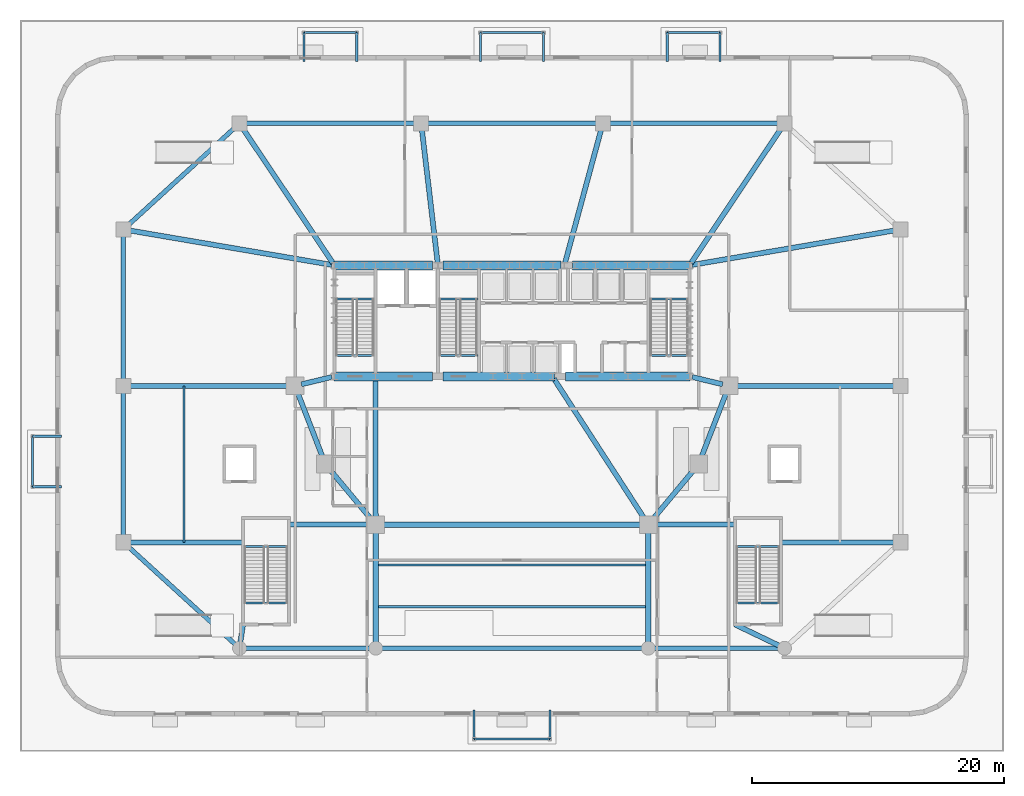
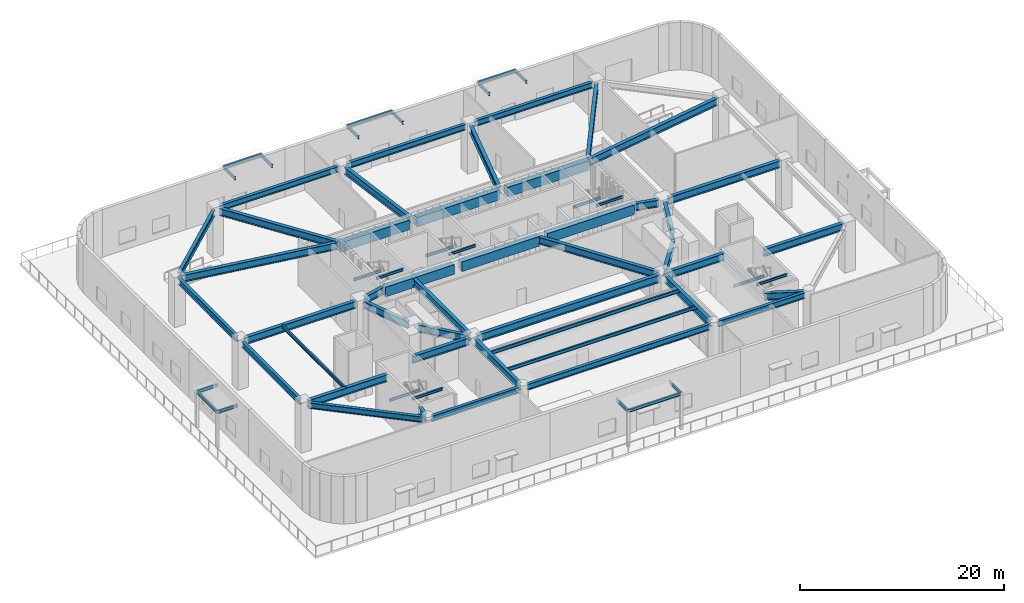
# One storey, part 6 of 21: 69 beams.
"""IFC4 building model written with IfcOpenShell, lengths in metres."""

from ifc_helpers import new_model, si_unit, direction, frame, origin, origin_2d, place, context, subcontext, project, spatial, rectangle, i_section, extrude, material, material_profile, profile_set, type_object, element, save


model = new_model("IFC4")

# Units and contexts
model_context = context("Model", 3, precision=1e-05, world=origin(), true_north=direction((0.0, 1.0)))
body_context = subcontext(model_context, "Body", "Model", "MODEL_VIEW")
ifc_project = project(units=[si_unit("LENGTHUNIT", "METRE"), si_unit("AREAUNIT", "SQUARE_METRE"), si_unit("VOLUMEUNIT", "CUBIC_METRE"), si_unit("PLANEANGLEUNIT", "RADIAN"), si_unit("MASSUNIT", "GRAM", prefix="KILO")], contexts=[model_context])

# Site, building, storey
site_placement = place(None, origin())
site = spatial("IfcSite", under=ifc_project, at=site_placement, CompositionType="ELEMENT")
building_placement = place(site_placement, origin())
building = spatial("IfcBuilding", under=site, at=building_placement, Name="Haldorwick Loom Tower", CompositionType="ELEMENT")
storey_placement = place(building_placement, origin())
storey = spatial("IfcBuildingStorey", under=building, at=storey_placement, Name="L00", CompositionType="ELEMENT", Elevation=0.0)

# Beams
ifc_material_1 = material(Name="Concrete C60 (60 MPa)", Category="concrete")
ifc_material_profile_1 = material_profile(ifc_material_1, rectangle(XDim=0.699951171875, YDim=1.14990234375, at=origin_2d()), Name="RC700X1150", Category="concrete")
ifc_profile_set_1 = profile_set([ifc_material_profile_1], Name="Concrete C60 (60 MPa)")
beam_type_1 = type_object("IfcBeamType", Name="STR-BM-CB1150", PredefinedType="LINTEL", material=ifc_profile_set_1)
beam_1_placement = place(storey_placement, frame((21.89990234375, 35.550048828125, 5.125), z_axis=(1.0, 0.0, 0.0), x_axis=(0.0, 1.0, 0.0)))
element("IfcBeam", 1, at=beam_1_placement, inside=storey, type_object=beam_type_1, Name="L00 Core Coupling Beam CB-N1", PredefinedType="LINTEL", context=body_context, shape_type="SweptSolid", body=[
    extrude(rectangle(XDim=0.699951171875, YDim=1.14990234375, at=origin_2d()), origin(), (0.0, 0.0, 1.0), 7.800048828125),
])
beam_2_placement = place(storey_placement, frame((30.550048828125, 35.550048828125, 5.125), z_axis=(1.0, 0.0, 0.0), x_axis=(0.0, 1.0, 0.0)))
element("IfcBeam", 2, at=beam_2_placement, inside=storey, type_object=beam_type_1, Name="L00 Core Coupling Beam CB-N2", PredefinedType="LINTEL", context=body_context, shape_type="SweptSolid", body=[
    extrude(rectangle(XDim=0.699951171875, YDim=1.14990234375, at=origin_2d()), origin(), (0.0, 0.0, 1.0), 9.349853515625),
])
beam_3_placement = place(storey_placement, frame((40.800048828125, 35.550048828125, 5.125), z_axis=(1.0, 0.0, 0.0), x_axis=(0.0, 1.0, 0.0)))
element("IfcBeam", 3, at=beam_3_placement, inside=storey, type_object=beam_type_1, Name="L00 Core Coupling Beam CB-N3", PredefinedType="LINTEL", context=body_context, shape_type="SweptSolid", body=[
    extrude(rectangle(XDim=0.699951171875, YDim=1.14990234375, at=origin_2d()), origin(), (0.0, 0.0, 1.0), 9.300048828125),
])
beam_4_placement = place(storey_placement, frame((21.89990234375, 26.75, 5.125), z_axis=(1.0, 0.0, 0.0), x_axis=(0.0, 1.0, 0.0)))
element("IfcBeam", 4, at=beam_4_placement, inside=storey, type_object=beam_type_1, Name="L00 Core Coupling Beam CB-S1", PredefinedType="LINTEL", context=body_context, shape_type="SweptSolid", body=[
    extrude(rectangle(XDim=0.699951171875, YDim=1.14990234375, at=origin_2d()), origin(), (0.0, 0.0, 1.0), 7.800048828125),
])
beam_5_placement = place(storey_placement, frame((30.550048828125, 26.75, 5.125), z_axis=(1.0, 0.0, 0.0), x_axis=(0.0, 1.0, 0.0)))
element("IfcBeam", 5, at=beam_5_placement, inside=storey, type_object=beam_type_1, Name="L00 Core Coupling Beam CB-S2", PredefinedType="LINTEL", context=body_context, shape_type="SweptSolid", body=[
    extrude(rectangle(XDim=0.699951171875, YDim=1.14990234375, at=origin_2d()), origin(), (0.0, 0.0, 1.0), 8.800048828125),
])
beam_6_placement = place(storey_placement, frame((40.25, 26.75, 5.125), z_axis=(1.0, 0.0, 0.0), x_axis=(0.0, 1.0, 0.0)))
element("IfcBeam", 6, at=beam_6_placement, inside=storey, type_object=beam_type_1, Name="L00 Core Coupling Beam CB-S3", PredefinedType="LINTEL", context=body_context, shape_type="SweptSolid", body=[
    extrude(rectangle(XDim=0.699951171875, YDim=1.14990234375, at=origin_2d()), origin(), (0.0, 0.0, 1.0), 9.85009765625),
])
ifc_material_2 = material(Name="Steel CSA G40.21 350W", Category="steel")
ifc_material_profile_2 = material_profile(ifc_material_2, i_section(OverallWidth=0.172119140625, OverallDepth=0.35791015625, WebThickness=0.0078125, FlangeThickness=0.01318359375, at=origin_2d()), Name="W360X57", Category="steel")
ifc_profile_set_2 = profile_set([ifc_material_profile_2], Name="Steel CSA G40.21 350W")
beam_type_2 = type_object("IfcBeamType", Name="STR-BM-CN360", PredefinedType="BEAM", material=ifc_profile_set_2)
for number, where, z_axis, x_axis, name in (
    (7, (33.0, 0.300048828125, 4.240966796875), (0.0, -1.0, 0.0), (1.0, 0.0, 0.0), "L00 Entrance Canopy Outrigger Beam CN-S1-1"),
    (8, (39.0, 0.300048828125, 4.240966796875), (0.0, -1.0, 0.0), (1.0, 0.0, 0.0), "L00 Entrance Canopy Outrigger Beam CN-S1-2"),
):
    element("IfcBeam", number, at=place(storey_placement, frame(where, z_axis=z_axis, x_axis=x_axis)), inside=storey, type_object=beam_type_2, Name=name, PredefinedType="BEAM", context=body_context, shape_type="SweptSolid", body=[
        extrude(i_section(OverallWidth=0.172119140625, OverallDepth=0.35791015625, WebThickness=0.0078125, FlangeThickness=0.01318359375, at=origin_2d()), origin(), (0.0, 0.0, 1.0), 2.300048828125),
    ])
beam_7_placement = place(storey_placement, frame((33.0, -2.0, 4.240966796875), z_axis=(1.0, 0.0, 0.0), x_axis=(0.0, 1.0, 0.0)))
element("IfcBeam", 9, at=beam_7_placement, inside=storey, type_object=beam_type_2, Name="L00 Entrance Canopy Front Edge Beam CN-S1", PredefinedType="BEAM", context=body_context, shape_type="SweptSolid", body=[
    extrude(i_section(OverallWidth=0.172119140625, OverallDepth=0.35791015625, WebThickness=0.0078125, FlangeThickness=0.01318359375, at=origin_2d()), origin(), (0.0, 0.0, 1.0), 6.0),
])
for number, where, z_axis, x_axis, name in (
    (10, (19.5, 51.699951171875, 4.240966796875), (0.0, 1.0, 0.0), (-1.0, 0.0, 0.0), "L00 Entrance Canopy Outrigger Beam CN-N1-1"),
    (11, (23.699951171875, 51.699951171875, 4.240966796875), (0.0, 1.0, 0.0), (-1.0, 0.0, 0.0), "L00 Entrance Canopy Outrigger Beam CN-N1-2"),
):
    element("IfcBeam", number, at=place(storey_placement, frame(where, z_axis=z_axis, x_axis=x_axis)), inside=storey, type_object=beam_type_2, Name=name, PredefinedType="BEAM", context=body_context, shape_type="SweptSolid", body=[
        extrude(i_section(OverallWidth=0.172119140625, OverallDepth=0.35791015625, WebThickness=0.0078125, FlangeThickness=0.01318359375, at=origin_2d()), origin(), (0.0, 0.0, 1.0), 2.300048828125),
    ])
beam_8_placement = place(storey_placement, frame((19.5, 54.0, 4.240966796875), z_axis=(1.0, 0.0, 0.0), x_axis=(0.0, 1.0, 0.0)))
element("IfcBeam", 12, at=beam_8_placement, inside=storey, type_object=beam_type_2, Name="L00 Entrance Canopy Front Edge Beam CN-N1", PredefinedType="BEAM", context=body_context, shape_type="SweptSolid", body=[
    extrude(i_section(OverallWidth=0.172119140625, OverallDepth=0.35791015625, WebThickness=0.0078125, FlangeThickness=0.01318359375, at=origin_2d()), origin(), (0.0, 0.0, 1.0), 4.199951171875),
])
for number, where, z_axis, x_axis, name in (
    (13, (33.5, 51.699951171875, 4.240966796875), (0.0, 1.0, 0.0), (-1.0, 0.0, 0.0), "L00 Entrance Canopy Outrigger Beam CN-N2-1"),
    (14, (38.5, 51.699951171875, 4.240966796875), (0.0, 1.0, 0.0), (-1.0, 0.0, 0.0), "L00 Entrance Canopy Outrigger Beam CN-N2-2"),
):
    element("IfcBeam", number, at=place(storey_placement, frame(where, z_axis=z_axis, x_axis=x_axis)), inside=storey, type_object=beam_type_2, Name=name, PredefinedType="BEAM", context=body_context, shape_type="SweptSolid", body=[
        extrude(i_section(OverallWidth=0.172119140625, OverallDepth=0.35791015625, WebThickness=0.0078125, FlangeThickness=0.01318359375, at=origin_2d()), origin(), (0.0, 0.0, 1.0), 2.300048828125),
    ])
beam_9_placement = place(storey_placement, frame((33.5, 54.0, 4.240966796875), z_axis=(1.0, 0.0, 0.0), x_axis=(0.0, 1.0, 0.0)))
element("IfcBeam", 15, at=beam_9_placement, inside=storey, type_object=beam_type_2, Name="L00 Entrance Canopy Front Edge Beam CN-N2", PredefinedType="BEAM", context=body_context, shape_type="SweptSolid", body=[
    extrude(i_section(OverallWidth=0.172119140625, OverallDepth=0.35791015625, WebThickness=0.0078125, FlangeThickness=0.01318359375, at=origin_2d()), origin(), (0.0, 0.0, 1.0), 5.0),
])
for number, where, z_axis, x_axis, name in (
    (16, (48.300048828125, 51.699951171875, 4.240966796875), (0.0, 1.0, 0.0), (-1.0, 0.0, 0.0), "L00 Entrance Canopy Outrigger Beam CN-N3-1"),
    (17, (52.5, 51.699951171875, 4.240966796875), (0.0, 1.0, 0.0), (-1.0, 0.0, 0.0), "L00 Entrance Canopy Outrigger Beam CN-N3-2"),
):
    element("IfcBeam", number, at=place(storey_placement, frame(where, z_axis=z_axis, x_axis=x_axis)), inside=storey, type_object=beam_type_2, Name=name, PredefinedType="BEAM", context=body_context, shape_type="SweptSolid", body=[
        extrude(i_section(OverallWidth=0.172119140625, OverallDepth=0.35791015625, WebThickness=0.0078125, FlangeThickness=0.01318359375, at=origin_2d()), origin(), (0.0, 0.0, 1.0), 2.300048828125),
    ])
beam_10_placement = place(storey_placement, frame((48.300048828125, 54.0, 4.240966796875), z_axis=(1.0, 0.0, 0.0), x_axis=(0.0, 1.0, 0.0)))
element("IfcBeam", 18, at=beam_10_placement, inside=storey, type_object=beam_type_2, Name="L00 Entrance Canopy Front Edge Beam CN-N3", PredefinedType="BEAM", context=body_context, shape_type="SweptSolid", body=[
    extrude(i_section(OverallWidth=0.172119140625, OverallDepth=0.35791015625, WebThickness=0.0078125, FlangeThickness=0.01318359375, at=origin_2d()), origin(), (0.0, 0.0, 1.0), 4.199951171875),
])
for number, where, z_axis, x_axis, name in (
    (19, (0.300048828125, 18.0, 4.240966796875), (-1.0, 0.0, 0.0), (0.0, -1.0, 0.0), "L00 Entrance Canopy Outrigger Beam CN-W1-1"),
    (20, (0.300048828125, 22.0, 4.240966796875), (-1.0, 0.0, 0.0), (0.0, -1.0, 0.0), "L00 Entrance Canopy Outrigger Beam CN-W1-2"),
):
    element("IfcBeam", number, at=place(storey_placement, frame(where, z_axis=z_axis, x_axis=x_axis)), inside=storey, type_object=beam_type_2, Name=name, PredefinedType="BEAM", context=body_context, shape_type="SweptSolid", body=[
        extrude(i_section(OverallWidth=0.172119140625, OverallDepth=0.35791015625, WebThickness=0.0078125, FlangeThickness=0.01318359375, at=origin_2d()), origin(), (0.0, 0.0, 1.0), 2.300048828125),
    ])
beam_11_placement = place(storey_placement, frame((-2.0, 18.0, 4.240966796875), z_axis=(0.0, 1.0, 0.0), x_axis=(-1.0, 0.0, 0.0)))
element("IfcBeam", 21, at=beam_11_placement, inside=storey, type_object=beam_type_2, Name="L00 Entrance Canopy Front Edge Beam CN-W1", PredefinedType="BEAM", context=body_context, shape_type="SweptSolid", body=[
    extrude(i_section(OverallWidth=0.172119140625, OverallDepth=0.35791015625, WebThickness=0.0078125, FlangeThickness=0.01318359375, at=origin_2d()), origin(), (0.0, 0.0, 1.0), 4.0),
])
ifc_material_profile_3 = material_profile(ifc_material_2, i_section(OverallWidth=0.179931640625, OverallDepth=0.4130859375, WebThickness=0.009765625, FlangeThickness=0.01611328125, at=origin_2d()), Name="W410X74", Category="steel")
ifc_profile_set_3 = profile_set([ifc_material_profile_3], Name="Steel CSA G40.21 350W")
beam_type_3 = type_object("IfcBeamType", Name="STR-BM-J410", PredefinedType="JOIST", material=ifc_profile_set_3)
for number, where, z_axis, x_axis, name in (
    (22, (25.199951171875, 8.5, 5.493408203125), (1.0, 0.0, 0.0), (0.0, 1.0, 0.0), "L00 Podium Secondary Joist PJ-S1"),
    (23, (25.199951171875, 11.800048828125, 5.493408203125), (1.0, 0.0, 0.0), (0.0, 1.0, 0.0), "L00 Podium Secondary Joist PJ-S2"),
):
    element("IfcBeam", number, at=place(storey_placement, frame(where, z_axis=z_axis, x_axis=x_axis)), inside=storey, type_object=beam_type_3, Name=name, PredefinedType="JOIST", context=body_context, shape_type="SweptSolid", body=[
        extrude(i_section(OverallWidth=0.179931640625, OverallDepth=0.4130859375, WebThickness=0.009765625, FlangeThickness=0.01611328125, at=origin_2d()), origin(), (0.0, 0.0, 1.0), 21.60009765625),
    ])
beam_12_placement = place(storey_placement, frame((10.0, 13.60009765625, 5.493408203125), z_axis=(0.0, 1.0, 0.0), x_axis=(-1.0, 0.0, 0.0)))
element("IfcBeam", 24, at=beam_12_placement, inside=storey, type_object=beam_type_3, Name="L00 Podium Secondary Joist PJ-W1", PredefinedType="JOIST", context=body_context, shape_type="SweptSolid", body=[
    extrude(i_section(OverallWidth=0.179931640625, OverallDepth=0.4130859375, WebThickness=0.009765625, FlangeThickness=0.01611328125, at=origin_2d()), origin(), (0.0, 0.0, 1.0), 12.39990234375),
])
ifc_material_profile_4 = material_profile(ifc_material_2, i_section(OverallWidth=0.35498046875, OverallDepth=0.695068359375, WebThickness=0.015380859375, FlangeThickness=0.02490234375, at=origin_2d()), Name="W690X217", Category="steel")
ifc_profile_set_4 = profile_set([ifc_material_profile_4], Name="Steel CSA G40.21 350W")
beam_type_4 = type_object("IfcBeamType", Name="STR-BM-SP690", PredefinedType="SPANDREL", material=ifc_profile_set_4)
beam_13_placement = place(storey_placement, frame((5.554443359375, 13.2763671875, 5.3525390625), z_axis=(0.738482735745, -0.674272384876, 0.0), x_axis=(0.674272384876, 0.738482735745, 0.0)))
element("IfcBeam", 25, at=beam_13_placement, inside=storey, type_object=beam_type_4, Name="L00 Podium Spandrel PSP-S1", PredefinedType="SPANDREL", context=body_context, shape_type="SweptSolid", body=[
    extrude(i_section(OverallWidth=0.35498046875, OverallDepth=0.695068359375, WebThickness=0.015380859375, FlangeThickness=0.02490234375, at=origin_2d()), origin(), (0.0, 0.0, 1.0), 11.497802734375),
])
beam_14_placement = place(storey_placement, frame((14.8798828125, 5.199951171875, 5.3525390625), z_axis=(1.0, 0.0, 0.0), x_axis=(0.0, 1.0, 0.0)))
element("IfcBeam", 26, at=beam_14_placement, inside=storey, type_object=beam_type_4, Name="L00 Podium Spandrel PSP-S2", PredefinedType="SPANDREL", context=body_context, shape_type="SweptSolid", body=[
    extrude(i_section(OverallWidth=0.35498046875, OverallDepth=0.695068359375, WebThickness=0.015380859375, FlangeThickness=0.02490234375, at=origin_2d()), origin(), (0.0, 0.0, 1.0), 9.840087890625),
])
beam_15_placement = place(storey_placement, frame((25.679931640625, 5.199951171875, 5.3525390625), z_axis=(1.0, 0.0, 0.0), x_axis=(0.0, 1.0, 0.0)))
element("IfcBeam", 27, at=beam_15_placement, inside=storey, type_object=beam_type_4, Name="L00 Podium Spandrel PSP-S3", PredefinedType="SPANDREL", context=body_context, shape_type="SweptSolid", body=[
    extrude(i_section(OverallWidth=0.35498046875, OverallDepth=0.695068359375, WebThickness=0.015380859375, FlangeThickness=0.02490234375, at=origin_2d()), origin(), (0.0, 0.0, 1.0), 20.64013671875),
])
beam_16_placement = place(storey_placement, frame((47.280029296875, 5.199951171875, 5.3525390625), z_axis=(1.0, 0.0, 0.0), x_axis=(0.0, 1.0, 0.0)))
element("IfcBeam", 28, at=beam_16_placement, inside=storey, type_object=beam_type_4, Name="L00 Podium Spandrel PSP-S4", PredefinedType="SPANDREL", context=body_context, shape_type="SweptSolid", body=[
    extrude(i_section(OverallWidth=0.35498046875, OverallDepth=0.695068359375, WebThickness=0.015380859375, FlangeThickness=0.02490234375, at=origin_2d()), origin(), (0.0, 0.0, 1.0), 9.840087890625),
])
beam_17_placement = place(storey_placement, frame((57.1201171875, 46.800048828125, 5.3525390625), z_axis=(-1.0, 0.0, 0.0), x_axis=(0.0, -1.0, 0.0)))
element("IfcBeam", 29, at=beam_17_placement, inside=storey, type_object=beam_type_4, Name="L00 Podium Spandrel PSP-N1", PredefinedType="SPANDREL", context=body_context, shape_type="SweptSolid", body=[
    extrude(i_section(OverallWidth=0.35498046875, OverallDepth=0.695068359375, WebThickness=0.015380859375, FlangeThickness=0.02490234375, at=origin_2d()), origin(), (0.0, 0.0, 1.0), 13.440185546875),
])
beam_18_placement = place(storey_placement, frame((42.719970703125, 46.800048828125, 5.3525390625), z_axis=(-1.0, 0.0, 0.0), x_axis=(0.0, -1.0, 0.0)))
element("IfcBeam", 30, at=beam_18_placement, inside=storey, type_object=beam_type_4, Name="L00 Podium Spandrel PSP-N2", PredefinedType="SPANDREL", context=body_context, shape_type="SweptSolid", body=[
    extrude(i_section(OverallWidth=0.35498046875, OverallDepth=0.695068359375, WebThickness=0.015380859375, FlangeThickness=0.02490234375, at=origin_2d()), origin(), (0.0, 0.0, 1.0), 13.43994140625),
])
beam_19_placement = place(storey_placement, frame((28.320068359375, 46.800048828125, 5.3525390625), z_axis=(-1.0, 0.0, 0.0), x_axis=(0.0, -1.0, 0.0)))
element("IfcBeam", 31, at=beam_19_placement, inside=storey, type_object=beam_type_4, Name="L00 Podium Spandrel PSP-N3", PredefinedType="SPANDREL", context=body_context, shape_type="SweptSolid", body=[
    extrude(i_section(OverallWidth=0.35498046875, OverallDepth=0.695068359375, WebThickness=0.015380859375, FlangeThickness=0.02490234375, at=origin_2d()), origin(), (0.0, 0.0, 1.0), 13.440185546875),
])
beam_20_placement = place(storey_placement, frame((14.04541015625, 46.476318359375, 5.3525390625), z_axis=(-0.738482735745, -0.674272384876, 0.0), x_axis=(0.674272384876, -0.738482735745, 0.0)))
element("IfcBeam", 32, at=beam_20_placement, inside=storey, type_object=beam_type_4, Name="L00 Podium Spandrel PSP-N4", PredefinedType="SPANDREL", context=body_context, shape_type="SweptSolid", body=[
    extrude(i_section(OverallWidth=0.35498046875, OverallDepth=0.695068359375, WebThickness=0.015380859375, FlangeThickness=0.02490234375, at=origin_2d()), origin(), (0.0, 0.0, 1.0), 11.497802734375),
])
for number, where, z_axis, x_axis, name in (
    (33, (5.199951171875, 37.919921875, 5.3525390625), (0.0, -1.0, 0.0), (1.0, 0.0, 0.0), "L00 Podium Spandrel PSP-W1"),
    (34, (5.199951171875, 25.52001953125, 5.3525390625), (0.0, -1.0, 0.0), (1.0, 0.0, 0.0), "L00 Podium Spandrel PSP-W2"),
):
    element("IfcBeam", number, at=place(storey_placement, frame(where, z_axis=z_axis, x_axis=x_axis)), inside=storey, type_object=beam_type_4, Name=name, PredefinedType="SPANDREL", context=body_context, shape_type="SweptSolid", body=[
        extrude(i_section(OverallWidth=0.35498046875, OverallDepth=0.695068359375, WebThickness=0.015380859375, FlangeThickness=0.02490234375, at=origin_2d()), origin(), (0.0, 0.0, 1.0), 11.43994140625),
    ])
ifc_material_profile_5 = material_profile(ifc_material_2, i_section(OverallWidth=0.166015625, OverallDepth=0.31298828125, WebThickness=0.006591796875, FlangeThickness=0.01123046875, at=origin_2d()), Name="W310X45", Category="steel")
ifc_profile_set_5 = profile_set([ifc_material_profile_5], Name="Steel CSA G40.21 350W")
beam_type_5 = type_object("IfcBeamType", Name="STR-BM-STRM", PredefinedType="BEAM", material=ifc_profile_set_5)
for number, where, z_axis, x_axis, name in (
    (35, (21.989990234375, 28.39990234375, 5.54345703125), (1.0, 0.0, 0.0), (0.0, 1.0, 0.0), "L00 Stair ST-01 Landing Edge Trimmer"),
    (36, (21.989990234375, 32.8798828125, 2.6435546875), (1.0, 0.0, 0.0), (0.0, 1.0, 0.0), "L00 Stair ST-01 Half-Landing Trimmer 1"),
    (37, (46.889892578125, 28.39990234375, 5.54345703125), (1.0, 0.0, 0.0), (0.0, 1.0, 0.0), "L00 Stair ST-02 Landing Edge Trimmer"),
    (38, (46.889892578125, 32.8798828125, 2.6435546875), (1.0, 0.0, 0.0), (0.0, 1.0, 0.0), "L00 Stair ST-02 Half-Landing Trimmer 1"),
    (39, (30.18994140625, 28.39990234375, 5.54345703125), (1.0, 0.0, 0.0), (0.0, 1.0, 0.0), "L00 Stair ST-03 Landing Edge Trimmer"),
    (40, (30.18994140625, 32.8798828125, 2.6435546875), (1.0, 0.0, 0.0), (0.0, 1.0, 0.0), "L00 Stair ST-03 Half-Landing Trimmer 1"),
):
    element("IfcBeam", number, at=place(storey_placement, frame(where, z_axis=z_axis, x_axis=x_axis)), inside=storey, type_object=beam_type_5, Name=name, PredefinedType="BEAM", context=body_context, shape_type="SweptSolid", body=[
        extrude(i_section(OverallWidth=0.166015625, OverallDepth=0.31298828125, WebThickness=0.006591796875, FlangeThickness=0.01123046875, at=origin_2d()), origin(), (0.0, 0.0, 1.0), 3.1201171875),
    ])
for number, where, z_axis, x_axis, name in (
    (41, (14.739990234375, 8.800048828125, 5.54345703125), (1.0, 0.0, 0.0), (0.0, 1.0, 0.0), "L00 Stair ST-P1 Landing Edge Trimmer"),
    (42, (14.739990234375, 13.280029296875, 2.6435546875), (1.0, 0.0, 0.0), (0.0, 1.0, 0.0), "L00 Stair ST-P1 Half-Landing Trimmer 1"),
    (43, (53.739990234375, 8.800048828125, 5.54345703125), (1.0, 0.0, 0.0), (0.0, 1.0, 0.0), "L00 Stair ST-P2 Landing Edge Trimmer"),
    (44, (53.739990234375, 13.280029296875, 2.6435546875), (1.0, 0.0, 0.0), (0.0, 1.0, 0.0), "L00 Stair ST-P2 Half-Landing Trimmer 1"),
):
    element("IfcBeam", number, at=place(storey_placement, frame(where, z_axis=z_axis, x_axis=x_axis)), inside=storey, type_object=beam_type_5, Name=name, PredefinedType="BEAM", context=body_context, shape_type="SweptSolid", body=[
        extrude(i_section(OverallWidth=0.166015625, OverallDepth=0.31298828125, WebThickness=0.006591796875, FlangeThickness=0.01123046875, at=origin_2d()), origin(), (0.0, 0.0, 1.0), 3.52001953125),
    ])
ifc_material_profile_6 = material_profile(ifc_material_2, i_section(OverallWidth=0.39990234375, OverallDepth=0.85498046875, WebThickness=0.018310546875, FlangeThickness=0.029296875, at=origin_2d()), Name="W840X299", Category="steel")
ifc_profile_set_6 = profile_set([ifc_material_profile_6], Name="Steel CSA G40.21 350W")
beam_type_6 = type_object("IfcBeamType", Name="STR-BM-W840", PredefinedType="BEAM", material=ifc_profile_set_6)
beam_21_placement = place(storey_placement, frame((50.288818359375, 26.697509765625, 5.2724609375), z_axis=(0.97247055837, -0.233025777764, 0.0), x_axis=(0.233025777764, 0.97247055837, 0.0)))
element("IfcBeam", 45, at=beam_21_placement, inside=storey, type_object=beam_type_6, Name="L00 Podium Inner Girder INE-1", PredefinedType="BEAM", context=body_context, shape_type="SweptSolid", body=[
    extrude(i_section(OverallWidth=0.39990234375, OverallDepth=0.85498046875, WebThickness=0.018310546875, FlangeThickness=0.029296875, at=origin_2d()), origin(), (0.0, 0.0, 1.0), 2.4736328125),
])
beam_22_placement = place(storey_placement, frame((53.01220703125, 25.51513671875, 5.2724609375), z_axis=(-0.360964792353, -0.93257944363, 0.0), x_axis=(0.93257944363, -0.360964792353, 0.0)))
element("IfcBeam", 46, at=beam_22_placement, inside=storey, type_object=beam_type_6, Name="L00 Podium Inner Girder INE-2", PredefinedType="BEAM", context=body_context, shape_type="SweptSolid", body=[
    extrude(i_section(OverallWidth=0.39990234375, OverallDepth=0.85498046875, WebThickness=0.018310546875, FlangeThickness=0.029296875, at=origin_2d()), origin(), (0.0, 0.0, 1.0), 5.6083984375),
])
beam_23_placement = place(storey_placement, frame((50.467041015625, 19.400390625, 5.2724609375), z_axis=(-0.640193621243, -0.768213594855, 0.0), x_axis=(0.768213594855, -0.640193621243, 0.0)))
element("IfcBeam", 47, at=beam_23_placement, inside=storey, type_object=beam_type_6, Name="L00 Podium Inner Girder INE-3", PredefinedType="BEAM", context=body_context, shape_type="SweptSolid", body=[
    extrude(i_section(OverallWidth=0.39990234375, OverallDepth=0.85498046875, WebThickness=0.018310546875, FlangeThickness=0.029296875, at=origin_2d()), origin(), (0.0, 0.0, 1.0), 5.208251953125),
])
beam_24_placement = place(storey_placement, frame((21.711181640625, 26.697509765625, 5.2724609375), z_axis=(-0.97247055837, -0.233025777764, 0.0), x_axis=(0.233025777764, -0.97247055837, 0.0)))
element("IfcBeam", 48, at=beam_24_placement, inside=storey, type_object=beam_type_6, Name="L00 Podium Inner Girder INW-1", PredefinedType="BEAM", context=body_context, shape_type="SweptSolid", body=[
    extrude(i_section(OverallWidth=0.39990234375, OverallDepth=0.85498046875, WebThickness=0.018310546875, FlangeThickness=0.029296875, at=origin_2d()), origin(), (0.0, 0.0, 1.0), 2.4736328125),
])
beam_25_placement = place(storey_placement, frame((18.98779296875, 25.51513671875, 5.2724609375), z_axis=(0.360964792353, -0.93257944363, 0.0), x_axis=(0.93257944363, 0.360964792353, 0.0)))
element("IfcBeam", 49, at=beam_25_placement, inside=storey, type_object=beam_type_6, Name="L00 Podium Inner Girder INW-2", PredefinedType="BEAM", context=body_context, shape_type="SweptSolid", body=[
    extrude(i_section(OverallWidth=0.39990234375, OverallDepth=0.85498046875, WebThickness=0.018310546875, FlangeThickness=0.029296875, at=origin_2d()), origin(), (0.0, 0.0, 1.0), 5.6083984375),
])
beam_26_placement = place(storey_placement, frame((21.532958984375, 19.400390625, 5.2724609375), z_axis=(0.640193621243, -0.768213594855, 0.0), x_axis=(0.768213594855, 0.640193621243, 0.0)))
element("IfcBeam", 50, at=beam_26_placement, inside=storey, type_object=beam_type_6, Name="L00 Podium Inner Girder INW-3", PredefinedType="BEAM", context=body_context, shape_type="SweptSolid", body=[
    extrude(i_section(OverallWidth=0.39990234375, OverallDepth=0.85498046875, WebThickness=0.018310546875, FlangeThickness=0.029296875, at=origin_2d()), origin(), (0.0, 0.0, 1.0), 5.208251953125),
])
for number, where, z_axis, x_axis, name in (
    (51, (25.199951171875, 5.64990234375, 5.2724609375), (0.0, 1.0, 0.0), (-1.0, 0.0, 0.0), "L00 Podium Primary Girder PG-01"),
    (52, (46.800048828125, 5.64990234375, 5.2724609375), (0.0, 1.0, 0.0), (-1.0, 0.0, 0.0), "L00 Podium Primary Girder PG-02"),
):
    element("IfcBeam", number, at=place(storey_placement, frame(where, z_axis=z_axis, x_axis=x_axis)), inside=storey, type_object=beam_type_6, Name=name, PredefinedType="BEAM", context=body_context, shape_type="SweptSolid", body=[
        extrude(i_section(OverallWidth=0.39990234375, OverallDepth=0.85498046875, WebThickness=0.018310546875, FlangeThickness=0.029296875, at=origin_2d()), origin(), (0.0, 0.0, 1.0), 8.900146484375),
    ])
beam_27_placement = place(storey_placement, frame((25.198974609375, 15.449951171875, 5.2724609375), z_axis=(-0.00255714174, 0.999996730508, 0.0), x_axis=(-0.999996730508, -0.00255714174, 0.0)))
element("IfcBeam", 53, at=beam_27_placement, inside=storey, type_object=beam_type_6, Name="L00 Podium Primary Girder PG-04", PredefinedType="BEAM", context=body_context, shape_type="SweptSolid", body=[
    extrude(i_section(OverallWidth=0.39990234375, OverallDepth=0.85498046875, WebThickness=0.018310546875, FlangeThickness=0.029296875, at=origin_2d()), origin(), (0.0, 0.0, 1.0), 11.074951171875),
])
beam_28_placement = place(storey_placement, frame((46.5556640625, 15.377685546875, 5.2724609375), z_axis=(-0.543098499406, 0.839668994273, 0.0), x_axis=(-0.839668994273, -0.543098499406, 0.0)))
element("IfcBeam", 54, at=beam_28_placement, inside=storey, type_object=beam_type_6, Name="L00 Podium Primary Girder PG-05", PredefinedType="BEAM", context=body_context, shape_type="SweptSolid", body=[
    extrude(i_section(OverallWidth=0.39990234375, OverallDepth=0.85498046875, WebThickness=0.018310546875, FlangeThickness=0.029296875, at=origin_2d()), origin(), (0.0, 0.0, 1.0), 13.31884765625),
])
beam_29_placement = place(storey_placement, frame((5.64990234375, 13.60009765625, 5.2724609375), z_axis=(1.0, 0.0, 0.0), x_axis=(0.0, 1.0, 0.0)))
element("IfcBeam", 55, at=beam_29_placement, inside=storey, type_object=beam_type_6, Name="L00 Podium Primary Girder PG-06A", PredefinedType="BEAM", context=body_context, shape_type="SweptSolid", body=[
    extrude(i_section(OverallWidth=0.39990234375, OverallDepth=0.85498046875, WebThickness=0.018310546875, FlangeThickness=0.029296875, at=origin_2d()), origin(), (0.0, 0.0, 1.0), 9.030029296875),
])
beam_30_placement = place(storey_placement, frame((18.320068359375, 15.0, 5.2724609375), z_axis=(1.0, 0.0, 0.0), x_axis=(0.0, 1.0, 0.0)))
element("IfcBeam", 56, at=beam_30_placement, inside=storey, type_object=beam_type_6, Name="L00 Podium Primary Girder PG-06B", PredefinedType="BEAM", context=body_context, shape_type="SweptSolid", body=[
    extrude(i_section(OverallWidth=0.39990234375, OverallDepth=0.85498046875, WebThickness=0.018310546875, FlangeThickness=0.029296875, at=origin_2d()), origin(), (0.0, 0.0, 1.0), 6.429931640625),
])
beam_31_placement = place(storey_placement, frame((66.35009765625, 13.60009765625, 5.2724609375), z_axis=(-1.0, 0.0, 0.0), x_axis=(0.0, -1.0, 0.0)))
element("IfcBeam", 57, at=beam_31_placement, inside=storey, type_object=beam_type_6, Name="L00 Podium Primary Girder PG-07A", PredefinedType="BEAM", context=body_context, shape_type="SweptSolid", body=[
    extrude(i_section(OverallWidth=0.39990234375, OverallDepth=0.85498046875, WebThickness=0.018310546875, FlangeThickness=0.029296875, at=origin_2d()), origin(), (0.0, 0.0, 1.0), 9.030029296875),
])
beam_32_placement = place(storey_placement, frame((53.679931640625, 15.0, 5.2724609375), z_axis=(-1.0, 0.0, 0.0), x_axis=(0.0, -1.0, 0.0)))
element("IfcBeam", 58, at=beam_32_placement, inside=storey, type_object=beam_type_6, Name="L00 Podium Primary Girder PG-07B", PredefinedType="BEAM", context=body_context, shape_type="SweptSolid", body=[
    extrude(i_section(OverallWidth=0.39990234375, OverallDepth=0.85498046875, WebThickness=0.018310546875, FlangeThickness=0.029296875, at=origin_2d()), origin(), (0.0, 0.0, 1.0), 6.429931640625),
])
for number, where, z_axis, x_axis, name in (
    (59, (5.6435546875, 38.324462890625, 5.2724609375), (0.985799279017, -0.167927905632, 0.0), (0.167927905632, 0.985799279017, 0.0), "L00 Podium Primary Girder PG-10"),
    (60, (50.291748046875, 35.587890625, 5.2724609375), (0.985799279017, 0.167927905632, 0.0), (-0.167927905632, 0.985799279017, 0.0), "L00 Podium Primary Girder PG-11"),
):
    element("IfcBeam", number, at=place(storey_placement, frame(where, z_axis=z_axis, x_axis=x_axis)), inside=storey, type_object=beam_type_6, Name=name, PredefinedType="BEAM", context=body_context, shape_type="SweptSolid", body=[
        extrude(i_section(OverallWidth=0.39990234375, OverallDepth=0.85498046875, WebThickness=0.018310546875, FlangeThickness=0.029296875, at=origin_2d()), origin(), (0.0, 0.0, 1.0), 16.296142578125),
    ])
beam_33_placement = place(storey_placement, frame((14.650390625, 46.426025390625, 5.2724609375), z_axis=(0.556223597649, -0.831032676504, 0.0), x_axis=(0.831032676504, 0.556223597649, 0.0)))
element("IfcBeam", 61, at=beam_33_placement, inside=storey, type_object=beam_type_6, Name="L00 Podium Primary Girder PG-12", PredefinedType="BEAM", context=body_context, shape_type="SweptSolid", body=[
    extrude(i_section(OverallWidth=0.39990234375, OverallDepth=0.85498046875, WebThickness=0.018310546875, FlangeThickness=0.029296875, at=origin_2d()), origin(), (0.0, 0.0, 1.0), 12.8623046875),
])
beam_34_placement = place(storey_placement, frame((28.852783203125, 46.35302734375, 5.2724609375), z_axis=(0.11740367245, -0.993084275223, 0.0), x_axis=(0.993084275223, 0.11740367245, 0.0)))
element("IfcBeam", 62, at=beam_34_placement, inside=storey, type_object=beam_type_6, Name="L00 Podium Primary Girder PG-13", PredefinedType="BEAM", context=body_context, shape_type="SweptSolid", body=[
    extrude(i_section(OverallWidth=0.39990234375, OverallDepth=0.85498046875, WebThickness=0.018310546875, FlangeThickness=0.029296875, at=origin_2d()), origin(), (0.0, 0.0, 1.0), 10.6533203125),
])
beam_35_placement = place(storey_placement, frame((43.082275390625, 46.36572265625, 5.2724609375), z_axis=(-0.261655396266, -0.965161361434, 0.0), x_axis=(0.965161361434, -0.261655396266, 0.0)))
element("IfcBeam", 63, at=beam_35_placement, inside=storey, type_object=beam_type_6, Name="L00 Podium Primary Girder PG-14", PredefinedType="BEAM", context=body_context, shape_type="SweptSolid", body=[
    extrude(i_section(OverallWidth=0.39990234375, OverallDepth=0.85498046875, WebThickness=0.018310546875, FlangeThickness=0.029296875, at=origin_2d()), origin(), (0.0, 0.0, 1.0), 10.981201171875),
])
beam_36_placement = place(storey_placement, frame((57.349609375, 46.426025390625, 5.2724609375), z_axis=(-0.556223597649, -0.831032676504, 0.0), x_axis=(0.831032676504, -0.556223597649, 0.0)))
element("IfcBeam", 64, at=beam_36_placement, inside=storey, type_object=beam_type_6, Name="L00 Podium Primary Girder PG-15", PredefinedType="BEAM", context=body_context, shape_type="SweptSolid", body=[
    extrude(i_section(OverallWidth=0.39990234375, OverallDepth=0.85498046875, WebThickness=0.018310546875, FlangeThickness=0.029296875, at=origin_2d()), origin(), (0.0, 0.0, 1.0), 12.8623046875),
])
beam_37_placement = place(storey_placement, frame((14.46630859375, 5.64501953125, 5.2724609375), z_axis=(0.147237749014, 0.989101129948, 0.0), x_axis=(-0.989101129948, 0.147237749014, 0.0)))
element("IfcBeam", 65, at=beam_37_placement, inside=storey, type_object=beam_type_6, Name="L00 Podium Primary Girder PG-16", PredefinedType="BEAM", context=body_context, shape_type="SweptSolid", body=[
    extrude(i_section(OverallWidth=0.39990234375, OverallDepth=0.85498046875, WebThickness=0.018310546875, FlangeThickness=0.029296875, at=origin_2d()), origin(), (0.0, 0.0, 1.0), 1.450927734375),
])
beam_38_placement = place(storey_placement, frame((57.1943359375, 5.39453125, 5.2724609375), z_axis=(-0.901659852689, 0.432445961998, 0.0), x_axis=(-0.432445961998, -0.901659852689, 0.0)))
element("IfcBeam", 66, at=beam_38_placement, inside=storey, type_object=beam_type_6, Name="L00 Podium Primary Girder PG-17", PredefinedType="BEAM", context=body_context, shape_type="SweptSolid", body=[
    extrude(i_section(OverallWidth=0.39990234375, OverallDepth=0.85498046875, WebThickness=0.018310546875, FlangeThickness=0.029296875, at=origin_2d()), origin(), (0.0, 0.0, 1.0), 3.897705078125),
])
for number, where, z_axis, x_axis, name in (
    (67, (5.64990234375, 26.0, 5.2724609375), (1.0, 0.0, 0.0), (0.0, 1.0, 0.0), "L00 Podium Primary Girder PG-08"),
    (68, (53.64990234375, 26.0, 5.2724609375), (1.0, 0.0, 0.0), (0.0, 1.0, 0.0), "L00 Podium Primary Girder PG-09"),
):
    element("IfcBeam", number, at=place(storey_placement, frame(where, z_axis=z_axis, x_axis=x_axis)), inside=storey, type_object=beam_type_6, Name=name, PredefinedType="BEAM", context=body_context, shape_type="SweptSolid", body=[
        extrude(i_section(OverallWidth=0.39990234375, OverallDepth=0.85498046875, WebThickness=0.018310546875, FlangeThickness=0.029296875, at=origin_2d()), origin(), (0.0, 0.0, 1.0), 12.7001953125),
    ])
ifc_material_profile_7 = material_profile(ifc_material_2, i_section(OverallWidth=0.41796875, OverallDepth=0.912109375, WebThickness=0.019287109375, FlangeThickness=0.031982421875, at=origin_2d()), Name="W920X342", Category="steel")
ifc_profile_set_7 = profile_set([ifc_material_profile_7], Name="Steel CSA G40.21 350W")
beam_type_7 = type_object("IfcBeamType", Name="STR-BM-W920", PredefinedType="BEAM", material=ifc_profile_set_7)
beam_39_placement = place(storey_placement, frame((25.64990234375, 15.0, 5.243896484375), z_axis=(1.0, 0.0, 0.0), x_axis=(0.0, 1.0, 0.0)))
element("IfcBeam", 69, at=beam_39_placement, inside=storey, type_object=beam_type_7, Name="L00 Podium Primary Girder PG-03", PredefinedType="BEAM", context=body_context, shape_type="SweptSolid", body=[
    extrude(i_section(OverallWidth=0.41796875, OverallDepth=0.912109375, WebThickness=0.019287109375, FlangeThickness=0.031982421875, at=origin_2d()), origin(), (0.0, 0.0, 1.0), 20.7001953125),
])

save(model, "model.ifc")
